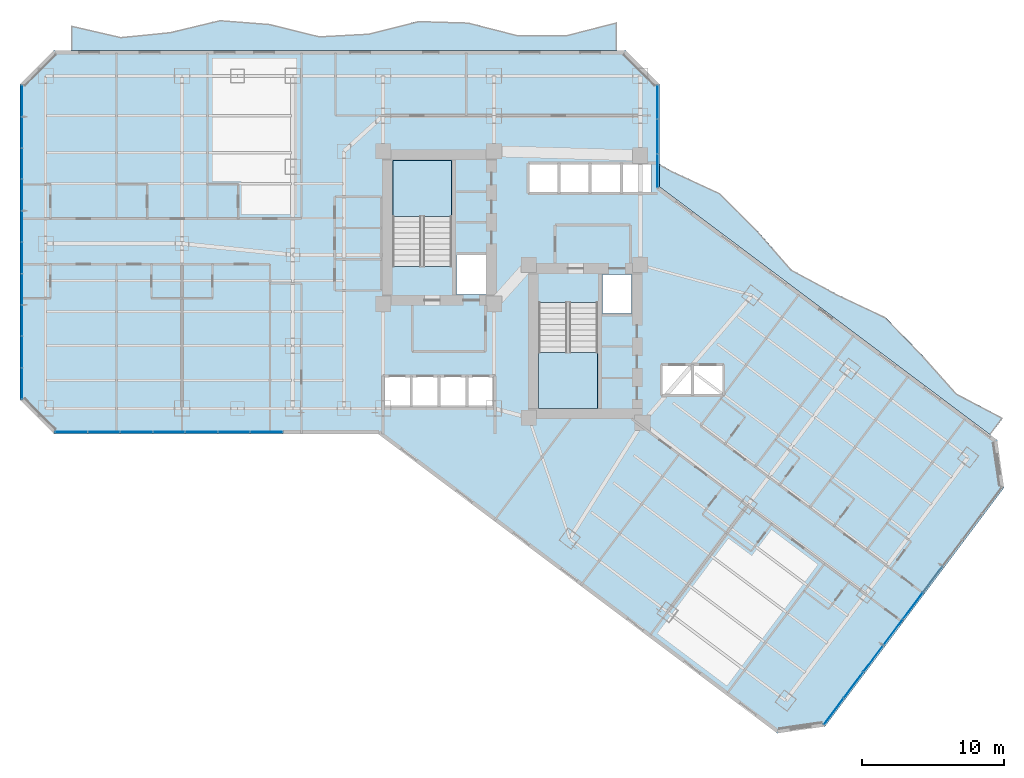
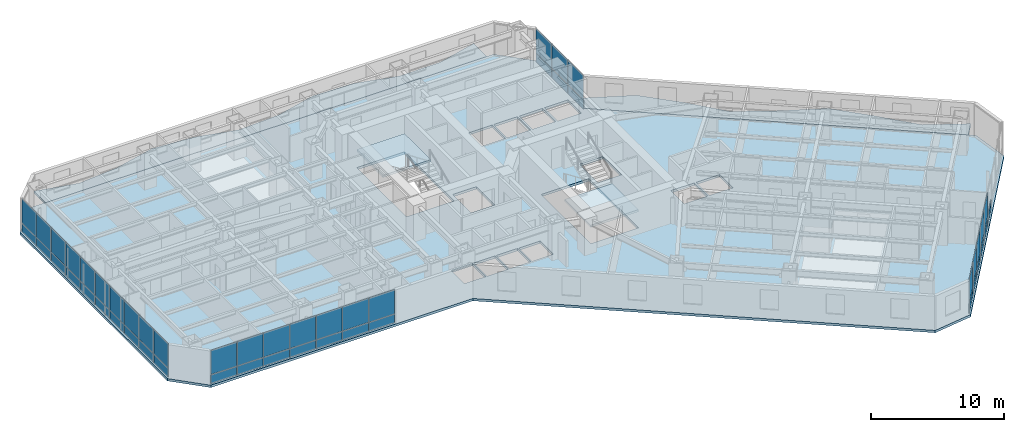
# One storey, part 20 of 37: 51 plates, 5 slabs, 6 elements without a shape of their own.
"""IFC4 building model written with IfcOpenShell, lengths in metres."""

from ifc_helpers import new_model, si_unit, direction, frame, origin, origin_2d, place, context, subcontext, project, spatial, polyline, rectangle, outline, extrude, material, layer, layer_set, type_object, element, aggregate, save


model = new_model("IFC4")

# Units and contexts
model_context = context("Model", 3, precision=1e-05, world=origin(), true_north=direction((0.0, 1.0)))
body_context = subcontext(model_context, "Body", "Model", "MODEL_VIEW")
ifc_project = project(units=[si_unit("LENGTHUNIT", "METRE"), si_unit("AREAUNIT", "SQUARE_METRE"), si_unit("VOLUMEUNIT", "CUBIC_METRE"), si_unit("PLANEANGLEUNIT", "RADIAN"), si_unit("MASSUNIT", "GRAM", prefix="KILO")], contexts=[model_context])

# Site, building, storey
site_placement = place(None, origin())
site = spatial("IfcSite", under=ifc_project, at=site_placement, CompositionType="ELEMENT")
building_placement = place(site_placement, origin())
building = spatial("IfcBuilding", under=site, at=building_placement, Name="Hatsunagi Terrace Concourse", CompositionType="ELEMENT")
storey_placement = place(building_placement, frame((0.0, 0.0, 50.0)))
storey = spatial("IfcBuildingStorey", under=building, at=storey_placement, Name="L12", CompositionType="ELEMENT", Elevation=50.0)

# Curtain wall, plates
ifc_material_1 = material(Name="Anodised Aluminium Alloy 6063-T5", Category="aluminium")
ifc_layer_1 = layer(ifc_material_1, 0.199951171875)
ifc_layer_set_1 = layer_set([ifc_layer_1], Name="HotelFacade_CW02")
curtain_wall_type = type_object("IfcCurtainWallType", Name="HotelFacade_CW02", PredefinedType="NOTDEFINED", material=ifc_layer_set_1)
curtain_wall_1_placement = place(storey_placement, origin())
curtain_wall_1 = element("IfcCurtainWall", 1, at=curtain_wall_1_placement, inside=storey, type_object=curtain_wall_type, Name="Unitised Curtain Wall CW-02 CW-L12-03", PredefinedType="NOTDEFINED")
ifc_material_2 = material(Name="Warm Terracotta Ceramic Spandrel Panel", Category="masonry")
ifc_layer_2 = layer(ifc_material_2, 0.031982421875)
ifc_layer_set_2 = layer_set([ifc_layer_2], Name="CurtainWallSpandrelPanel_32")
plate_type_1 = type_object("IfcPlateType", Name="CurtainWallSpandrelPanel_32", PredefinedType="SHEET", material=ifc_layer_set_2)
plate_1_placement = place(storey_placement, frame((64.219970703125, 13.159912109375, 0.030029296875), z_axis=(0.0, 0.0, 1.0), x_axis=(-0.599969314634, -0.800023013105, 0.0)))
plate_1 = element("IfcPlate", 2, at=plate_1_placement, type_object=plate_type_1, Name="Terracotta Spandrel Panel SPN-01", PredefinedType="SHEET", context=body_context, shape_type="SweptSolid", body=[
    extrude(rectangle(XDim=2.264892578125, YDim=0.031982421875, at=origin_2d()), origin(), (0.0, 0.0, 1.0), 0.7900390625),
])
plate_2_placement = place(storey_placement, frame((62.827880859375, 11.303955078125, 0.030029296875), z_axis=(0.0, 0.0, 1.0), x_axis=(-0.599969314634, -0.800023013105, 0.0)))
plate_2 = element("IfcPlate", 3, at=plate_2_placement, type_object=plate_type_1, Name="Terracotta Spandrel Panel SPN-01", PredefinedType="SHEET", context=body_context, shape_type="SweptSolid", body=[
    extrude(rectangle(XDim=2.264892578125, YDim=0.031982421875, at=origin_2d()), origin(), (0.0, 0.0, 1.0), 0.7900390625),
])
plate_3_placement = place(storey_placement, frame((61.43603515625, 9.447998046875, 0.030029296875), z_axis=(0.0, 0.0, 1.0), x_axis=(-0.599969314634, -0.800023013105, 0.0)))
plate_3 = element("IfcPlate", 4, at=plate_3_placement, type_object=plate_type_1, Name="Terracotta Spandrel Panel SPN-01", PredefinedType="SHEET", context=body_context, shape_type="SweptSolid", body=[
    extrude(rectangle(XDim=2.264892578125, YDim=0.031982421875, at=origin_2d()), origin(), (0.0, 0.0, 1.0), 0.7900390625),
])
plate_4_placement = place(storey_placement, frame((60.0439453125, 7.591064453125, 0.030029296875), z_axis=(0.0, 0.0, 1.0), x_axis=(-0.599969314634, -0.800023013105, 0.0)))
plate_4 = element("IfcPlate", 5, at=plate_4_placement, type_object=plate_type_1, Name="Terracotta Spandrel Panel SPN-01", PredefinedType="SHEET", context=body_context, shape_type="SweptSolid", body=[
    extrude(rectangle(XDim=2.264892578125, YDim=0.031982421875, at=origin_2d()), origin(), (0.0, 0.0, 1.0), 0.7900390625),
])
plate_5_placement = place(storey_placement, frame((58.65087890625, 5.735107421875, 0.030029296875), z_axis=(0.0, 0.0, 1.0), x_axis=(-0.599969314634, -0.800023013105, 0.0)))
plate_5 = element("IfcPlate", 6, at=plate_5_placement, type_object=plate_type_1, Name="Terracotta Spandrel Panel SPN-01", PredefinedType="SHEET", context=body_context, shape_type="SweptSolid", body=[
    extrude(rectangle(XDim=2.264892578125, YDim=0.031982421875, at=origin_2d()), origin(), (0.0, 0.0, 1.0), 0.7900390625),
])
plate_6_placement = place(storey_placement, frame((57.259033203125, 3.8779296875, 0.030029296875), z_axis=(0.0, 0.0, 1.0), x_axis=(-0.599969314634, -0.800023013105, 0.0)))
plate_6 = element("IfcPlate", 7, at=plate_6_placement, type_object=plate_type_1, Name="Terracotta Spandrel Panel SPN-01", PredefinedType="SHEET", context=body_context, shape_type="SweptSolid", body=[
    extrude(rectangle(XDim=2.264892578125, YDim=0.031982421875, at=origin_2d()), origin(), (0.0, 0.0, 1.0), 0.7900390625),
])

curtain_wall_2_placement = place(storey_placement, origin())
curtain_wall_2 = element("IfcCurtainWall", 8, at=curtain_wall_2_placement, inside=storey, type_object=curtain_wall_type, Name="Unitised Curtain Wall CW-02 CW-L12-07", PredefinedType="NOTDEFINED")
plate_7_placement = place(storey_placement, frame((17.35400390625, 23.5400390625, 0.030029296875), z_axis=(0.0, 0.0, 1.0), x_axis=(-1.0, 0.0, 0.0)))
plate_7 = element("IfcPlate", 9, at=plate_7_placement, type_object=plate_type_1, Name="Terracotta Spandrel Panel SPN-01", PredefinedType="SHEET", context=body_context, shape_type="SweptSolid", body=[
    extrude(rectangle(XDim=2.237060546875, YDim=0.031982421875, at=origin_2d()), origin(), (0.0, 0.0, 1.0), 0.7900390625),
])
plate_8_placement = place(storey_placement, frame((15.06201171875, 23.5400390625, 0.030029296875), z_axis=(0.0, 0.0, 1.0), x_axis=(-1.0, 0.0, 0.0)))
plate_8 = element("IfcPlate", 10, at=plate_8_placement, type_object=plate_type_1, Name="Terracotta Spandrel Panel SPN-01", PredefinedType="SHEET", context=body_context, shape_type="SweptSolid", body=[
    extrude(rectangle(XDim=2.237060546875, YDim=0.031982421875, at=origin_2d()), origin(), (0.0, 0.0, 1.0), 0.7900390625),
])
plate_9_placement = place(storey_placement, frame((12.77099609375, 23.5400390625, 0.030029296875), z_axis=(0.0, 0.0, 1.0), x_axis=(-1.0, 0.0, 0.0)))
plate_9 = element("IfcPlate", 11, at=plate_9_placement, type_object=plate_type_1, Name="Terracotta Spandrel Panel SPN-01", PredefinedType="SHEET", context=body_context, shape_type="SweptSolid", body=[
    extrude(rectangle(XDim=2.237060546875, YDim=0.031982421875, at=origin_2d()), origin(), (0.0, 0.0, 1.0), 0.7900390625),
])
plate_10_placement = place(storey_placement, frame((10.47900390625, 23.5400390625, 0.030029296875), z_axis=(0.0, 0.0, 1.0), x_axis=(-1.0, 0.0, 0.0)))
plate_10 = element("IfcPlate", 12, at=plate_10_placement, type_object=plate_type_1, Name="Terracotta Spandrel Panel SPN-01", PredefinedType="SHEET", context=body_context, shape_type="SweptSolid", body=[
    extrude(rectangle(XDim=2.237060546875, YDim=0.031982421875, at=origin_2d()), origin(), (0.0, 0.0, 1.0), 0.7900390625),
])
plate_11_placement = place(storey_placement, frame((8.18701171875, 23.5400390625, 0.030029296875), z_axis=(0.0, 0.0, 1.0), x_axis=(-1.0, 0.0, 0.0)))
plate_11 = element("IfcPlate", 13, at=plate_11_placement, type_object=plate_type_1, Name="Terracotta Spandrel Panel SPN-01", PredefinedType="SHEET", context=body_context, shape_type="SweptSolid", body=[
    extrude(rectangle(XDim=2.237060546875, YDim=0.031982421875, at=origin_2d()), origin(), (0.0, 0.0, 1.0), 0.7900390625),
])
plate_12_placement = place(storey_placement, frame((5.89599609375, 23.5400390625, 0.030029296875), z_axis=(0.0, 0.0, 1.0), x_axis=(-1.0, 0.0, 0.0)))
plate_12 = element("IfcPlate", 14, at=plate_12_placement, type_object=plate_type_1, Name="Terracotta Spandrel Panel SPN-01", PredefinedType="SHEET", context=body_context, shape_type="SweptSolid", body=[
    extrude(rectangle(XDim=2.237060546875, YDim=0.031982421875, at=origin_2d()), origin(), (0.0, 0.0, 1.0), 0.7900390625),
])
plate_13_placement = place(storey_placement, frame((3.60400390625, 23.5400390625, 0.030029296875), z_axis=(0.0, 0.0, 1.0), x_axis=(-1.0, 0.0, 0.0)))
plate_13 = element("IfcPlate", 15, at=plate_13_placement, type_object=plate_type_1, Name="Terracotta Spandrel Panel SPN-01", PredefinedType="SHEET", context=body_context, shape_type="SweptSolid", body=[
    extrude(rectangle(XDim=2.237060546875, YDim=0.031982421875, at=origin_2d()), origin(), (0.0, 0.0, 1.0), 0.7900390625),
])

curtain_wall_3_placement = place(storey_placement, origin())
curtain_wall_3 = element("IfcCurtainWall", 16, at=curtain_wall_3_placement, inside=storey, type_object=curtain_wall_type, Name="Unitised Curtain Wall CW-02 CW-L12-09", PredefinedType="NOTDEFINED")
plate_14_placement = place(storey_placement, frame((0.139892578125, 26.9619140625, 0.030029296875), z_axis=(0.0, 0.0, 1.0), x_axis=(0.0, 1.0, 0.0)))
plate_14 = element("IfcPlate", 17, at=plate_14_placement, type_object=plate_type_1, Name="Terracotta Spandrel Panel SPN-01", PredefinedType="SHEET", context=body_context, shape_type="SweptSolid", body=[
    extrude(rectangle(XDim=2.153076171875, YDim=0.031982421875, at=origin_2d()), origin(), (0.0, 0.0, 1.0), 0.7900390625),
])
plate_15_placement = place(storey_placement, frame((0.139892578125, 29.1708984375, 0.030029296875), z_axis=(0.0, 0.0, 1.0), x_axis=(0.0, 1.0, 0.0)))
plate_15 = element("IfcPlate", 18, at=plate_15_placement, type_object=plate_type_1, Name="Terracotta Spandrel Panel SPN-01", PredefinedType="SHEET", context=body_context, shape_type="SweptSolid", body=[
    extrude(rectangle(XDim=2.153076171875, YDim=0.031982421875, at=origin_2d()), origin(), (0.0, 0.0, 1.0), 0.7900390625),
])
plate_16_placement = place(storey_placement, frame((0.139892578125, 31.37890625, 0.030029296875), z_axis=(0.0, 0.0, 1.0), x_axis=(0.0, 1.0, 0.0)))
plate_16 = element("IfcPlate", 19, at=plate_16_placement, type_object=plate_type_1, Name="Terracotta Spandrel Panel SPN-01", PredefinedType="SHEET", context=body_context, shape_type="SweptSolid", body=[
    extrude(rectangle(XDim=2.153076171875, YDim=0.031982421875, at=origin_2d()), origin(), (0.0, 0.0, 1.0), 0.7900390625),
])
plate_17_placement = place(storey_placement, frame((0.139892578125, 33.5869140625, 0.030029296875), z_axis=(0.0, 0.0, 1.0), x_axis=(0.0, 1.0, 0.0)))
plate_17 = element("IfcPlate", 20, at=plate_17_placement, type_object=plate_type_1, Name="Terracotta Spandrel Panel SPN-01", PredefinedType="SHEET", context=body_context, shape_type="SweptSolid", body=[
    extrude(rectangle(XDim=2.153076171875, YDim=0.031982421875, at=origin_2d()), origin(), (0.0, 0.0, 1.0), 0.7900390625),
])
plate_18_placement = place(storey_placement, frame((0.139892578125, 35.7958984375, 0.030029296875), z_axis=(0.0, 0.0, 1.0), x_axis=(0.0, 1.0, 0.0)))
plate_18 = element("IfcPlate", 21, at=plate_18_placement, type_object=plate_type_1, Name="Terracotta Spandrel Panel SPN-01", PredefinedType="SHEET", context=body_context, shape_type="SweptSolid", body=[
    extrude(rectangle(XDim=2.153076171875, YDim=0.031982421875, at=origin_2d()), origin(), (0.0, 0.0, 1.0), 0.7900390625),
])
plate_19_placement = place(storey_placement, frame((0.139892578125, 38.00390625, 0.030029296875), z_axis=(0.0, 0.0, 1.0), x_axis=(0.0, 1.0, 0.0)))
plate_19 = element("IfcPlate", 22, at=plate_19_placement, type_object=plate_type_1, Name="Terracotta Spandrel Panel SPN-01", PredefinedType="SHEET", context=body_context, shape_type="SweptSolid", body=[
    extrude(rectangle(XDim=2.153076171875, YDim=0.031982421875, at=origin_2d()), origin(), (0.0, 0.0, 1.0), 0.7900390625),
])
plate_20_placement = place(storey_placement, frame((0.139892578125, 40.212890625, 0.030029296875), z_axis=(0.0, 0.0, 1.0), x_axis=(0.0, 1.0, 0.0)))
plate_20 = element("IfcPlate", 23, at=plate_20_placement, type_object=plate_type_1, Name="Terracotta Spandrel Panel SPN-01", PredefinedType="SHEET", context=body_context, shape_type="SweptSolid", body=[
    extrude(rectangle(XDim=2.153076171875, YDim=0.031982421875, at=origin_2d()), origin(), (0.0, 0.0, 1.0), 0.7900390625),
])
plate_21_placement = place(storey_placement, frame((0.139892578125, 42.4208984375, 0.030029296875), z_axis=(0.0, 0.0, 1.0), x_axis=(0.0, 1.0, 0.0)))
plate_21 = element("IfcPlate", 24, at=plate_21_placement, type_object=plate_type_1, Name="Terracotta Spandrel Panel SPN-01", PredefinedType="SHEET", context=body_context, shape_type="SweptSolid", body=[
    extrude(rectangle(XDim=2.153076171875, YDim=0.031982421875, at=origin_2d()), origin(), (0.0, 0.0, 1.0), 0.7900390625),
])
plate_22_placement = place(storey_placement, frame((0.139892578125, 44.62890625, 0.030029296875), z_axis=(0.0, 0.0, 1.0), x_axis=(0.0, 1.0, 0.0)))
plate_22 = element("IfcPlate", 25, at=plate_22_placement, type_object=plate_type_1, Name="Terracotta Spandrel Panel SPN-01", PredefinedType="SHEET", context=body_context, shape_type="SweptSolid", body=[
    extrude(rectangle(XDim=2.153076171875, YDim=0.031982421875, at=origin_2d()), origin(), (0.0, 0.0, 1.0), 0.7900390625),
])
plate_23_placement = place(storey_placement, frame((0.139892578125, 46.837890625, 0.030029296875), z_axis=(0.0, 0.0, 1.0), x_axis=(0.0, 1.0, 0.0)))
plate_23 = element("IfcPlate", 26, at=plate_23_placement, type_object=plate_type_1, Name="Terracotta Spandrel Panel SPN-01", PredefinedType="SHEET", context=body_context, shape_type="SweptSolid", body=[
    extrude(rectangle(XDim=2.153076171875, YDim=0.031982421875, at=origin_2d()), origin(), (0.0, 0.0, 1.0), 0.7900390625),
])

curtain_wall_4_placement = place(storey_placement, origin())
curtain_wall_4 = element("IfcCurtainWall", 27, at=curtain_wall_4_placement, inside=storey, type_object=curtain_wall_type, Name="Unitised Curtain Wall CW-02 CW-L12-13", PredefinedType="NOTDEFINED")
plate_24_placement = place(storey_placement, frame((44.860107421875, 46.739990234375, 0.030029296875), z_axis=(0.0, 0.0, 1.0), x_axis=(0.0, -1.0, 0.0)))
plate_24 = element("IfcPlate", 28, at=plate_24_placement, type_object=plate_type_1, Name="Terracotta Spandrel Panel SPN-01", PredefinedType="SHEET", context=body_context, shape_type="SweptSolid", body=[
    extrude(rectangle(XDim=2.34912109375, YDim=0.031982421875, at=origin_2d()), origin(), (0.0, 0.0, 1.0), 0.7900390625),
])
plate_25_placement = place(storey_placement, frame((44.860107421875, 44.3359375, 0.030029296875), z_axis=(0.0, 0.0, 1.0), x_axis=(0.0, -1.0, 0.0)))
plate_25 = element("IfcPlate", 29, at=plate_25_placement, type_object=plate_type_1, Name="Terracotta Spandrel Panel SPN-01", PredefinedType="SHEET", context=body_context, shape_type="SweptSolid", body=[
    extrude(rectangle(XDim=2.34912109375, YDim=0.031982421875, at=origin_2d()), origin(), (0.0, 0.0, 1.0), 0.7900390625),
])
plate_26_placement = place(storey_placement, frame((44.860107421875, 41.931884765625, 0.030029296875), z_axis=(0.0, 0.0, 1.0), x_axis=(0.0, -1.0, 0.0)))
plate_26 = element("IfcPlate", 30, at=plate_26_placement, type_object=plate_type_1, Name="Terracotta Spandrel Panel SPN-01", PredefinedType="SHEET", context=body_context, shape_type="SweptSolid", body=[
    extrude(rectangle(XDim=2.34912109375, YDim=0.031982421875, at=origin_2d()), origin(), (0.0, 0.0, 1.0), 0.7900390625),
])

# Plate
ifc_material_3 = material(Name="Low-E Double Insulating Glass 28mm", Category="glass")
ifc_layer_3 = layer(ifc_material_3, 0.028076171875)
ifc_layer_set_3 = layer_set([ifc_layer_3], Name="CurtainWallVisionGlass_28")
plate_type_2 = type_object("IfcPlateType", Name="CurtainWallVisionGlass_28", PredefinedType="CURTAIN_PANEL", material=ifc_layer_set_3)
plate_27_placement = place(storey_placement, frame((62.827880859375, 11.303955078125, 0.8798828125), z_axis=(0.0, 0.0, 1.0), x_axis=(-0.599969314634, -0.800023013105, 0.0)))
plate_27 = element("IfcPlate", 31, at=plate_27_placement, type_object=plate_type_2, Name="Low-E Vision Glass Panel GLZ-01", PredefinedType="CURTAIN_PANEL", context=body_context, shape_type="SweptSolid", body=[
    extrude(rectangle(XDim=2.264892578125, YDim=0.028076171875, at=origin_2d()), origin(), (0.0, 0.0, 1.0), 2.219970703125),
])

plate_28_placement = place(storey_placement, frame((61.43603515625, 9.447998046875, 0.8798828125), z_axis=(0.0, 0.0, 1.0), x_axis=(-0.599969314634, -0.800023013105, 0.0)))
plate_28 = element("IfcPlate", 32, at=plate_28_placement, type_object=plate_type_2, Name="Low-E Vision Glass Panel GLZ-01", PredefinedType="CURTAIN_PANEL", context=body_context, shape_type="SweptSolid", body=[
    extrude(rectangle(XDim=2.264892578125, YDim=0.028076171875, at=origin_2d()), origin(), (0.0, 0.0, 1.0), 2.219970703125),
])

plate_29_placement = place(storey_placement, frame((60.0439453125, 7.591064453125, 0.8798828125), z_axis=(0.0, 0.0, 1.0), x_axis=(-0.599969314634, -0.800023013105, 0.0)))
plate_29 = element("IfcPlate", 33, at=plate_29_placement, type_object=plate_type_2, Name="Low-E Vision Glass Panel GLZ-01", PredefinedType="CURTAIN_PANEL", context=body_context, shape_type="SweptSolid", body=[
    extrude(rectangle(XDim=2.264892578125, YDim=0.028076171875, at=origin_2d()), origin(), (0.0, 0.0, 1.0), 2.219970703125),
])

plate_30_placement = place(storey_placement, frame((58.65087890625, 5.735107421875, 0.8798828125), z_axis=(0.0, 0.0, 1.0), x_axis=(-0.599969314634, -0.800023013105, 0.0)))
plate_30 = element("IfcPlate", 34, at=plate_30_placement, type_object=plate_type_2, Name="Low-E Vision Glass Panel GLZ-01", PredefinedType="CURTAIN_PANEL", context=body_context, shape_type="SweptSolid", body=[
    extrude(rectangle(XDim=2.264892578125, YDim=0.028076171875, at=origin_2d()), origin(), (0.0, 0.0, 1.0), 2.219970703125),
])

plate_31_placement = place(storey_placement, frame((57.259033203125, 3.8779296875, 0.8798828125), z_axis=(0.0, 0.0, 1.0), x_axis=(-0.599969314634, -0.800023013105, 0.0)))
plate_31 = element("IfcPlate", 35, at=plate_31_placement, type_object=plate_type_2, Name="Low-E Vision Glass Panel GLZ-01", PredefinedType="CURTAIN_PANEL", context=body_context, shape_type="SweptSolid", body=[
    extrude(rectangle(XDim=2.264892578125, YDim=0.028076171875, at=origin_2d()), origin(), (0.0, 0.0, 1.0), 2.219970703125),
])

aggregate(curtain_wall_1, [plate_1, plate_2, plate_27, plate_3, plate_28, plate_4, plate_29, plate_5, plate_30, plate_6, plate_31])

plate_32_placement = place(storey_placement, frame((17.35400390625, 23.5400390625, 0.8798828125), z_axis=(0.0, 0.0, 1.0), x_axis=(-1.0, 0.0, 0.0)))
plate_32 = element("IfcPlate", 36, at=plate_32_placement, type_object=plate_type_2, Name="Low-E Vision Glass Panel GLZ-01", PredefinedType="CURTAIN_PANEL", context=body_context, shape_type="SweptSolid", body=[
    extrude(rectangle(XDim=2.237060546875, YDim=0.028076171875, at=origin_2d()), origin(), (0.0, 0.0, 1.0), 2.219970703125),
])

plate_33_placement = place(storey_placement, frame((15.06201171875, 23.5400390625, 0.8798828125), z_axis=(0.0, 0.0, 1.0), x_axis=(-1.0, 0.0, 0.0)))
plate_33 = element("IfcPlate", 37, at=plate_33_placement, type_object=plate_type_2, Name="Low-E Vision Glass Panel GLZ-01", PredefinedType="CURTAIN_PANEL", context=body_context, shape_type="SweptSolid", body=[
    extrude(rectangle(XDim=2.237060546875, YDim=0.028076171875, at=origin_2d()), origin(), (0.0, 0.0, 1.0), 2.219970703125),
])

plate_34_placement = place(storey_placement, frame((12.77099609375, 23.5400390625, 0.8798828125), z_axis=(0.0, 0.0, 1.0), x_axis=(-1.0, 0.0, 0.0)))
plate_34 = element("IfcPlate", 38, at=plate_34_placement, type_object=plate_type_2, Name="Low-E Vision Glass Panel GLZ-01", PredefinedType="CURTAIN_PANEL", context=body_context, shape_type="SweptSolid", body=[
    extrude(rectangle(XDim=2.237060546875, YDim=0.028076171875, at=origin_2d()), origin(), (0.0, 0.0, 1.0), 2.219970703125),
])

plate_35_placement = place(storey_placement, frame((10.47900390625, 23.5400390625, 0.8798828125), z_axis=(0.0, 0.0, 1.0), x_axis=(-1.0, 0.0, 0.0)))
plate_35 = element("IfcPlate", 39, at=plate_35_placement, type_object=plate_type_2, Name="Low-E Vision Glass Panel GLZ-01", PredefinedType="CURTAIN_PANEL", context=body_context, shape_type="SweptSolid", body=[
    extrude(rectangle(XDim=2.237060546875, YDim=0.028076171875, at=origin_2d()), origin(), (0.0, 0.0, 1.0), 2.219970703125),
])

plate_36_placement = place(storey_placement, frame((8.18701171875, 23.5400390625, 0.8798828125), z_axis=(0.0, 0.0, 1.0), x_axis=(-1.0, 0.0, 0.0)))
plate_36 = element("IfcPlate", 40, at=plate_36_placement, type_object=plate_type_2, Name="Low-E Vision Glass Panel GLZ-01", PredefinedType="CURTAIN_PANEL", context=body_context, shape_type="SweptSolid", body=[
    extrude(rectangle(XDim=2.237060546875, YDim=0.028076171875, at=origin_2d()), origin(), (0.0, 0.0, 1.0), 2.219970703125),
])

plate_37_placement = place(storey_placement, frame((5.89599609375, 23.5400390625, 0.8798828125), z_axis=(0.0, 0.0, 1.0), x_axis=(-1.0, 0.0, 0.0)))
plate_37 = element("IfcPlate", 41, at=plate_37_placement, type_object=plate_type_2, Name="Low-E Vision Glass Panel GLZ-01", PredefinedType="CURTAIN_PANEL", context=body_context, shape_type="SweptSolid", body=[
    extrude(rectangle(XDim=2.237060546875, YDim=0.028076171875, at=origin_2d()), origin(), (0.0, 0.0, 1.0), 2.219970703125),
])

plate_38_placement = place(storey_placement, frame((3.60400390625, 23.5400390625, 0.8798828125), z_axis=(0.0, 0.0, 1.0), x_axis=(-1.0, 0.0, 0.0)))
plate_38 = element("IfcPlate", 42, at=plate_38_placement, type_object=plate_type_2, Name="Low-E Vision Glass Panel GLZ-01", PredefinedType="CURTAIN_PANEL", context=body_context, shape_type="SweptSolid", body=[
    extrude(rectangle(XDim=2.237060546875, YDim=0.028076171875, at=origin_2d()), origin(), (0.0, 0.0, 1.0), 2.219970703125),
])

aggregate(curtain_wall_2, [plate_7, plate_32, plate_8, plate_33, plate_9, plate_34, plate_10, plate_35, plate_11, plate_36, plate_12, plate_37, plate_13, plate_38])

plate_39_placement = place(storey_placement, frame((0.139892578125, 26.9619140625, 0.8798828125), z_axis=(0.0, 0.0, 1.0), x_axis=(0.0, 1.0, 0.0)))
plate_39 = element("IfcPlate", 43, at=plate_39_placement, type_object=plate_type_2, Name="Low-E Vision Glass Panel GLZ-01", PredefinedType="CURTAIN_PANEL", context=body_context, shape_type="SweptSolid", body=[
    extrude(rectangle(XDim=2.153076171875, YDim=0.028076171875, at=origin_2d()), origin(), (0.0, 0.0, 1.0), 2.219970703125),
])

plate_40_placement = place(storey_placement, frame((0.139892578125, 29.1708984375, 0.8798828125), z_axis=(0.0, 0.0, 1.0), x_axis=(0.0, 1.0, 0.0)))
plate_40 = element("IfcPlate", 44, at=plate_40_placement, type_object=plate_type_2, Name="Low-E Vision Glass Panel GLZ-01", PredefinedType="CURTAIN_PANEL", context=body_context, shape_type="SweptSolid", body=[
    extrude(rectangle(XDim=2.153076171875, YDim=0.028076171875, at=origin_2d()), origin(), (0.0, 0.0, 1.0), 2.219970703125),
])

plate_41_placement = place(storey_placement, frame((0.139892578125, 31.37890625, 0.8798828125), z_axis=(0.0, 0.0, 1.0), x_axis=(0.0, 1.0, 0.0)))
plate_41 = element("IfcPlate", 45, at=plate_41_placement, type_object=plate_type_2, Name="Low-E Vision Glass Panel GLZ-01", PredefinedType="CURTAIN_PANEL", context=body_context, shape_type="SweptSolid", body=[
    extrude(rectangle(XDim=2.153076171875, YDim=0.028076171875, at=origin_2d()), origin(), (0.0, 0.0, 1.0), 2.219970703125),
])

plate_42_placement = place(storey_placement, frame((0.139892578125, 33.5869140625, 0.8798828125), z_axis=(0.0, 0.0, 1.0), x_axis=(0.0, 1.0, 0.0)))
plate_42 = element("IfcPlate", 46, at=plate_42_placement, type_object=plate_type_2, Name="Low-E Vision Glass Panel GLZ-01", PredefinedType="CURTAIN_PANEL", context=body_context, shape_type="SweptSolid", body=[
    extrude(rectangle(XDim=2.153076171875, YDim=0.028076171875, at=origin_2d()), origin(), (0.0, 0.0, 1.0), 2.219970703125),
])

plate_43_placement = place(storey_placement, frame((0.139892578125, 35.7958984375, 0.8798828125), z_axis=(0.0, 0.0, 1.0), x_axis=(0.0, 1.0, 0.0)))
plate_43 = element("IfcPlate", 47, at=plate_43_placement, type_object=plate_type_2, Name="Low-E Vision Glass Panel GLZ-01", PredefinedType="CURTAIN_PANEL", context=body_context, shape_type="SweptSolid", body=[
    extrude(rectangle(XDim=2.153076171875, YDim=0.028076171875, at=origin_2d()), origin(), (0.0, 0.0, 1.0), 2.219970703125),
])

plate_44_placement = place(storey_placement, frame((0.139892578125, 38.00390625, 0.8798828125), z_axis=(0.0, 0.0, 1.0), x_axis=(0.0, 1.0, 0.0)))
plate_44 = element("IfcPlate", 48, at=plate_44_placement, type_object=plate_type_2, Name="Low-E Vision Glass Panel GLZ-01", PredefinedType="CURTAIN_PANEL", context=body_context, shape_type="SweptSolid", body=[
    extrude(rectangle(XDim=2.153076171875, YDim=0.028076171875, at=origin_2d()), origin(), (0.0, 0.0, 1.0), 2.219970703125),
])

plate_45_placement = place(storey_placement, frame((0.139892578125, 40.212890625, 0.8798828125), z_axis=(0.0, 0.0, 1.0), x_axis=(0.0, 1.0, 0.0)))
plate_45 = element("IfcPlate", 49, at=plate_45_placement, type_object=plate_type_2, Name="Low-E Vision Glass Panel GLZ-01", PredefinedType="CURTAIN_PANEL", context=body_context, shape_type="SweptSolid", body=[
    extrude(rectangle(XDim=2.153076171875, YDim=0.028076171875, at=origin_2d()), origin(), (0.0, 0.0, 1.0), 2.219970703125),
])

plate_46_placement = place(storey_placement, frame((0.139892578125, 42.4208984375, 0.8798828125), z_axis=(0.0, 0.0, 1.0), x_axis=(0.0, 1.0, 0.0)))
plate_46 = element("IfcPlate", 50, at=plate_46_placement, type_object=plate_type_2, Name="Low-E Vision Glass Panel GLZ-01", PredefinedType="CURTAIN_PANEL", context=body_context, shape_type="SweptSolid", body=[
    extrude(rectangle(XDim=2.153076171875, YDim=0.028076171875, at=origin_2d()), origin(), (0.0, 0.0, 1.0), 2.219970703125),
])

plate_47_placement = place(storey_placement, frame((0.139892578125, 44.62890625, 0.8798828125), z_axis=(0.0, 0.0, 1.0), x_axis=(0.0, 1.0, 0.0)))
plate_47 = element("IfcPlate", 51, at=plate_47_placement, type_object=plate_type_2, Name="Low-E Vision Glass Panel GLZ-01", PredefinedType="CURTAIN_PANEL", context=body_context, shape_type="SweptSolid", body=[
    extrude(rectangle(XDim=2.153076171875, YDim=0.028076171875, at=origin_2d()), origin(), (0.0, 0.0, 1.0), 2.219970703125),
])

plate_48_placement = place(storey_placement, frame((0.139892578125, 46.837890625, 0.8798828125), z_axis=(0.0, 0.0, 1.0), x_axis=(0.0, 1.0, 0.0)))
plate_48 = element("IfcPlate", 52, at=plate_48_placement, type_object=plate_type_2, Name="Low-E Vision Glass Panel GLZ-01", PredefinedType="CURTAIN_PANEL", context=body_context, shape_type="SweptSolid", body=[
    extrude(rectangle(XDim=2.153076171875, YDim=0.028076171875, at=origin_2d()), origin(), (0.0, 0.0, 1.0), 2.219970703125),
])

aggregate(curtain_wall_3, [plate_14, plate_39, plate_15, plate_40, plate_16, plate_41, plate_17, plate_42, plate_18, plate_43, plate_19, plate_44, plate_20, plate_45, plate_21, plate_46, plate_22, plate_47, plate_23, plate_48])

plate_49_placement = place(storey_placement, frame((44.860107421875, 46.739990234375, 0.8798828125), z_axis=(0.0, 0.0, 1.0), x_axis=(0.0, -1.0, 0.0)))
plate_49 = element("IfcPlate", 53, at=plate_49_placement, type_object=plate_type_2, Name="Low-E Vision Glass Panel GLZ-01", PredefinedType="CURTAIN_PANEL", context=body_context, shape_type="SweptSolid", body=[
    extrude(rectangle(XDim=2.34912109375, YDim=0.028076171875, at=origin_2d()), origin(), (0.0, 0.0, 1.0), 2.219970703125),
])

plate_50_placement = place(storey_placement, frame((44.860107421875, 44.3359375, 0.8798828125), z_axis=(0.0, 0.0, 1.0), x_axis=(0.0, -1.0, 0.0)))
plate_50 = element("IfcPlate", 54, at=plate_50_placement, type_object=plate_type_2, Name="Low-E Vision Glass Panel GLZ-01", PredefinedType="CURTAIN_PANEL", context=body_context, shape_type="SweptSolid", body=[
    extrude(rectangle(XDim=2.34912109375, YDim=0.028076171875, at=origin_2d()), origin(), (0.0, 0.0, 1.0), 2.219970703125),
])

plate_51_placement = place(storey_placement, frame((44.860107421875, 41.931884765625, 0.8798828125), z_axis=(0.0, 0.0, 1.0), x_axis=(0.0, -1.0, 0.0)))
plate_51 = element("IfcPlate", 55, at=plate_51_placement, type_object=plate_type_2, Name="Low-E Vision Glass Panel GLZ-01", PredefinedType="CURTAIN_PANEL", context=body_context, shape_type="SweptSolid", body=[
    extrude(rectangle(XDim=2.34912109375, YDim=0.028076171875, at=origin_2d()), origin(), (0.0, 0.0, 1.0), 2.219970703125),
])

aggregate(curtain_wall_4, [plate_24, plate_49, plate_25, plate_50, plate_26, plate_51])

# Stair, slab
ifc_material_4 = material(Name="Concrete Fc42", Category="concrete")
stair_type = type_object("IfcStairType", Name="DoglegExitStair_Tower2000_20R_168", PredefinedType="HALF_TURN_STAIR", material=ifc_material_4)
stair_1_placement = place(storey_placement, origin())
stair_1 = element("IfcStair", 56, at=stair_1_placement, inside=storey, type_object=stair_type, Name="L12 Core A Protected Exit Stair ST-A", PredefinedType="HALF_TURN_STAIR")
ifc_material_5 = material(Name="Concrete Fc42", Category="concrete")
ifc_layer_4 = layer(ifc_material_5, 0.199951171875)
ifc_layer_set_4 = layer_set([ifc_layer_4], Name="DoglegStairLanding_Tower2000")
slab_type_1 = type_object("IfcSlabType", Name="DoglegStairLanding_Tower2000", PredefinedType="LANDING", material=ifc_layer_set_4)
slab_1_placement = place(storey_placement, frame((0.0, 0.0, 1.47509765625)))
slab_1 = element("IfcSlab", 57, at=slab_1_placement, type_object=slab_type_1, Name="ST-A landing 1", PredefinedType="LANDING", context=body_context, shape_type="SweptSolid", body=[
    extrude(outline(polyline([(30.3798828125, 38.7099609375), (30.3798828125, 42.659912109375), (26.22998046875, 42.659912109375), (26.22998046875, 38.7099609375), (30.3798828125, 38.7099609375)])), origin(), (0.0, 0.0, 1.0), 0.199951171875),
])
aggregate(stair_1, [slab_1])

stair_2_placement = place(storey_placement, origin())
stair_2 = element("IfcStair", 58, at=stair_2_placement, inside=storey, type_object=stair_type, Name="L12 Core B Protected Exit Stair ST-B", PredefinedType="HALF_TURN_STAIR")
slab_2_placement = place(storey_placement, frame((0.0, 0.0, 1.47509765625)))
slab_2 = element("IfcSlab", 59, at=slab_2_placement, type_object=slab_type_1, Name="ST-B landing 1", PredefinedType="LANDING", context=body_context, shape_type="SweptSolid", body=[
    extrude(outline(polyline([(36.5, 29.14990234375), (36.5, 25.199951171875), (40.64990234375, 25.199951171875), (40.64990234375, 29.14990234375), (36.5, 29.14990234375)])), origin(), (0.0, 0.0, 1.0), 0.199951171875),
])
aggregate(stair_2, [slab_2])

# Slabs
ifc_material_6 = material(Name="Concrete Fc42", Category="concrete")
ifc_layer_5 = layer(ifc_material_6, 0.199951171875)
ifc_layer_set_5 = layer_set([ifc_layer_5], Name="EngawaBalconySlab_Fc42_200")
slab_type_2 = type_object("IfcSlabType", Name="EngawaBalconySlab_Fc42_200", PredefinedType="FLOOR", material=ifc_layer_set_5)
slab_3_placement = place(storey_placement, frame((0.0, 0.0, -0.199951171875)))
element("IfcSlab", 60, at=slab_3_placement, inside=storey, type_object=slab_type_2, Name="Engawa Balcony Slab BAL-L12-BN", PredefinedType="FLOOR", context=body_context, shape_type="SweptSolid", body=[
    extrude(outline(polyline([(3.60009765625, 52.15087890625), (3.60009765625, 50.39990234375), (42.0, 50.39990234375), (42.0, 52.385009765625), (38.509033203125, 51.488037109375), (35.01806640625, 51.470947265625), (31.527099609375, 52.365966796875), (28.035888671875, 52.468017578125), (24.544921875, 51.5830078125), (21.054931640625, 51.39697265625), (17.56396484375, 52.263916015625), (14.072998046875, 52.532958984375), (10.58203125, 51.69091796875), (7.091064453125, 51.342041015625), (3.60009765625, 52.15087890625)])), origin(), (0.0, 0.0, 1.0), 0.199951171875),
])
slab_4_placement = place(storey_placement, frame((0.0, 0.0, -0.199951171875)))
element("IfcSlab", 61, at=slab_4_placement, inside=storey, type_object=slab_type_2, Name="Engawa Balcony Slab BAL-L12-BSE", PredefinedType="FLOOR", context=body_context, shape_type="SweptSolid", body=[
    extrude(outline(polyline([(45.8740234375, 41.909912109375), (44.99609375, 42.39892578125), (44.99609375, 40.802978515625), (68.280029296875, 23.340087890625), (69.173095703125, 24.530029296875), (65.916015625, 26.242919921875), (63.445068359375, 29.0048828125), (60.8759765625, 31.635009765625), (57.52294921875, 33.219970703125), (54.2919921875, 34.967041015625), (51.841064453125, 37.7548828125), (49.24609375, 40.35009765625), (45.8740234375, 41.909912109375)])), origin(), (0.0, 0.0, 1.0), 0.199951171875),
])
ifc_material_7 = material(Name="Concrete Fc42", Category="concrete")
ifc_layer_6 = layer(ifc_material_7, 0.219970703125)
ifc_layer_set_6 = layer_set([ifc_layer_6], Name="HotelFloorSlab_Fc42_220")
slab_type_3 = type_object("IfcSlabType", Name="HotelFloorSlab_Fc42_220", PredefinedType="FLOOR", material=ifc_layer_set_6)
slab_5_placement = place(storey_placement, frame((0.0, 0.0, -0.219970703125)))
element("IfcSlab", 62, at=slab_5_placement, inside=storey, type_object=slab_type_3, Name="Floor Slab SL-220 L12", PredefinedType="FLOOR", context=body_context, shape_type="SweptSolid", body=[
    extrude(outline(polyline([(45.0, 40.800048828125), (45.0, 48.0), (42.60009765625, 50.39990234375), (2.39990234375, 50.39990234375), (0.0, 48.0), (0.0, 25.800048828125), (2.39990234375, 23.39990234375), (25.199951171875, 23.39990234375), (53.280029296875, 2.340087890625), (56.639892578125, 2.820068359375), (69.239990234375, 19.6201171875), (68.760009765625, 22.97998046875), (45.0, 40.800048828125)]), holes=[polyline([(26.22998046875, 35.205078125), (30.3798828125, 35.205078125), (30.3798828125, 42.659912109375), (26.22998046875, 42.659912109375), (26.22998046875, 35.205078125)]), polyline([(36.5, 25.199951171875), (40.64990234375, 25.199951171875), (40.64990234375, 32.655029296875), (36.5, 32.655029296875), (36.5, 25.199951171875)]), polyline([(30.719970703125, 33.219970703125), (32.780029296875, 33.219970703125), (32.780029296875, 35.97998046875), (30.719970703125, 35.97998046875), (30.719970703125, 33.219970703125)]), polyline([(40.97998046875, 31.8798828125), (43.02001953125, 31.8798828125), (43.02001953125, 34.639892578125), (40.97998046875, 34.639892578125), (40.97998046875, 31.8798828125)]), polyline([(25.6201171875, 25.39990234375), (27.47998046875, 25.39990234375), (27.47998046875, 27.39990234375), (25.6201171875, 27.39990234375), (25.6201171875, 25.39990234375)]), polyline([(27.580078125, 25.39990234375), (29.43994140625, 25.39990234375), (29.43994140625, 27.39990234375), (27.580078125, 27.39990234375), (27.580078125, 25.39990234375)]), polyline([(29.5400390625, 25.39990234375), (31.39990234375, 25.39990234375), (31.39990234375, 27.39990234375), (29.5400390625, 27.39990234375), (29.5400390625, 25.39990234375)]), polyline([(31.5, 25.39990234375), (33.360107421875, 25.39990234375), (33.360107421875, 27.39990234375), (31.5, 27.39990234375), (31.5, 25.39990234375)]), polyline([(35.800048828125, 40.39990234375), (37.85009765625, 40.39990234375), (37.85009765625, 42.39990234375), (35.800048828125, 42.39990234375), (35.800048828125, 40.39990234375)]), polyline([(38.0, 40.39990234375), (40.050048828125, 40.39990234375), (40.050048828125, 42.39990234375), (38.0, 42.39990234375), (38.0, 40.39990234375)]), polyline([(40.199951171875, 40.39990234375), (42.25, 40.39990234375), (42.25, 42.39990234375), (40.199951171875, 42.39990234375), (40.199951171875, 40.39990234375)]), polyline([(42.39990234375, 40.39990234375), (44.449951171875, 40.39990234375), (44.449951171875, 42.39990234375), (42.39990234375, 42.39990234375), (42.39990234375, 40.39990234375)]), polyline([(45.199951171875, 26.199951171875), (47.25, 26.199951171875), (47.25, 28.199951171875), (45.199951171875, 28.199951171875), (45.199951171875, 26.199951171875)]), polyline([(47.39990234375, 26.199951171875), (49.449951171875, 26.199951171875), (49.449951171875, 28.199951171875), (47.39990234375, 28.199951171875), (47.39990234375, 26.199951171875)])]), origin(), (0.0, 0.0, 1.0), 0.219970703125),
])

save(model, "model.ifc")
